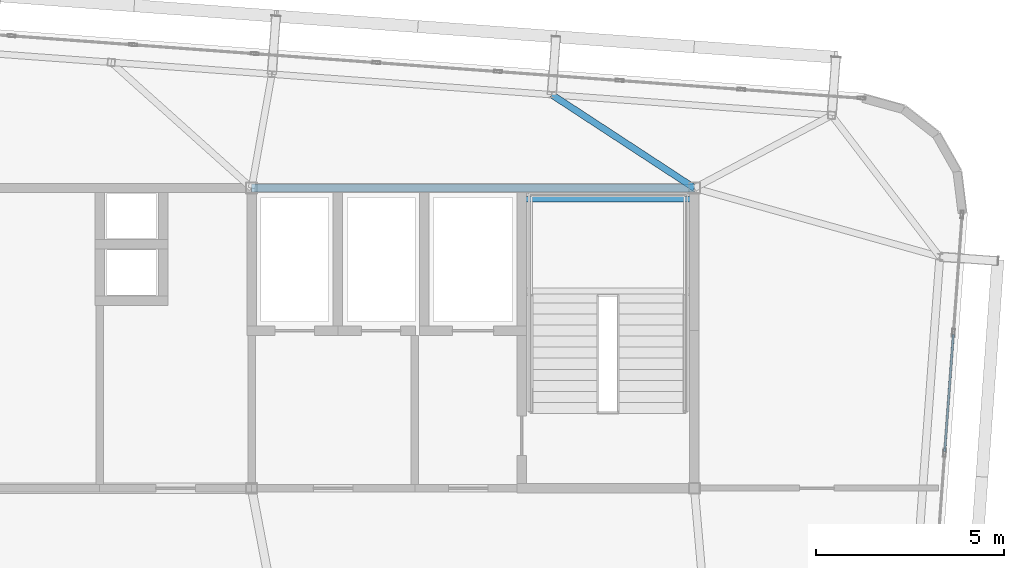
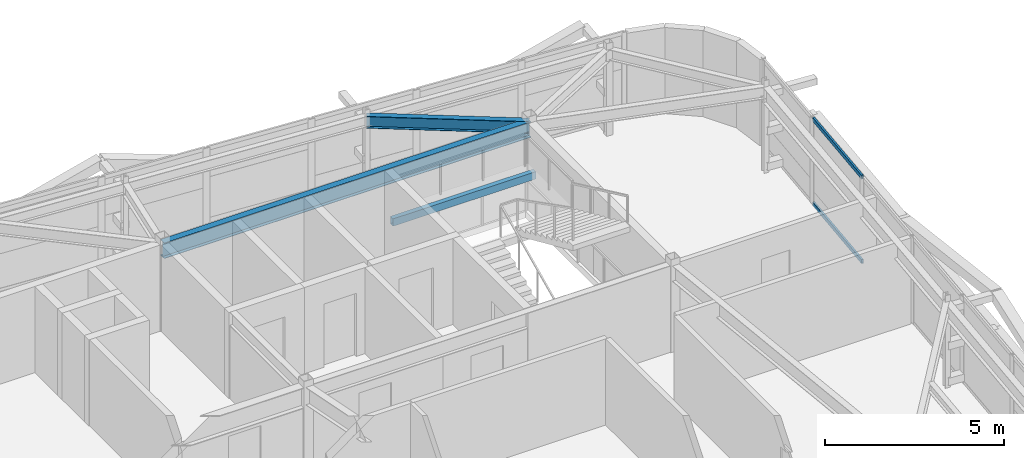
# One storey, part 24 of 42: 3 beams, 2 members, 1 element without a shape of its own.
"""IFC4 building model written with IfcOpenShell, lengths in metres."""

from ifc_helpers import new_model, si_unit, direction, frame, origin, origin_2d, place, context, subcontext, project, spatial, hollow_rectangle, i_section, extrude, source, transform, mapped, material, layer, layer_set, material_profile, profile_set, type_object, element, aggregate, save


model = new_model("IFC4")

# Units and contexts
model_context = context("Model", 3, precision=1e-05, world=origin(), true_north=direction((0.0, 1.0)))
body_context = subcontext(model_context, "Body", "Model", "MODEL_VIEW")
ifc_project = project(units=[si_unit("LENGTHUNIT", "METRE"), si_unit("AREAUNIT", "SQUARE_METRE"), si_unit("VOLUMEUNIT", "CUBIC_METRE"), si_unit("PLANEANGLEUNIT", "RADIAN"), si_unit("MASSUNIT", "GRAM", prefix="KILO")], contexts=[model_context])

# Site, building, storey
site_placement = place(None, origin())
site = spatial("IfcSite", under=ifc_project, at=site_placement, CompositionType="ELEMENT")
building_placement = place(site_placement, origin())
building = spatial("IfcBuilding", under=site, at=building_placement, Name="Taldren Reach Tower", CompositionType="ELEMENT")
storey_placement = place(building_placement, frame((0.0, 0.0, 224.0)))
storey = spatial("IfcBuildingStorey", under=building, at=storey_placement, Name="L68", CompositionType="ELEMENT", Elevation=224.0)

# Beams
ifc_material_1 = material(Name="Steel Gr 350 (350PLUS)", Category="steel")
ifc_material_profile_1 = material_profile(ifc_material_1, i_section(OverallWidth=0.208984375, OverallDepth=0.532958984375, WebThickness=0.01025390625, FlangeThickness=0.015625, at=origin_2d()), Name="530UB92.4")
ifc_profile_set_1 = profile_set([ifc_material_profile_1], Name="Steel Gr 350 (350PLUS)")
beam_type_1 = type_object("IfcBeamType", Name="BM-UB530A", PredefinedType="BEAM", material=ifc_profile_set_1)
shared_shape_1 = source(origin(), body_context, "Body", "SweptSolid", [
    extrude(i_section(OverallWidth=0.208984375, OverallDepth=0.532958984375, WebThickness=0.01025390625, FlangeThickness=0.015625, at=origin_2d()), origin(), (0.0, 0.0, 1.0), 11.800048828125),
])
beam_1_placement = place(storey_placement, frame((39.199951171875, 32.0, 2.66357421875), z_axis=(1.0, 0.0, 0.0), x_axis=(0.0, 1.0, 0.0)))
element("IfcBeam", 1, at=beam_1_placement, inside=storey, type_object=beam_type_1, Name="Core-spine girder L68-SP06", PredefinedType="BEAM", context=body_context, shape_type="MappedRepresentation", body=[
    mapped(shared_shape_1, transform((0.0, 0.0, 0.0), scale=1.0)),
])
ifc_material_profile_2 = material_profile(ifc_material_1, i_section(OverallWidth=0.177978515625, OverallDepth=0.406005859375, WebThickness=0.0078125, FlangeThickness=0.0126953125, at=origin_2d()), Name="410UB59.7")
ifc_profile_set_2 = profile_set([ifc_material_profile_2], Name="Steel Gr 350 (350PLUS)")
beam_type_2 = type_object("IfcBeamType", Name="BM-UB410", PredefinedType="BEAM", material=ifc_profile_set_2)
shared_shape_2 = source(origin(), body_context, "Body", "SweptSolid", [
    extrude(i_section(OverallWidth=0.177978515625, OverallDepth=0.406005859375, WebThickness=0.0078125, FlangeThickness=0.0126953125, at=origin_2d()), origin(), (0.0, 0.0, 1.0), 4.542236328125),
])
beam_2_placement = place(storey_placement, frame((51.0, 32.0, 2.72705078125), z_axis=(-0.836709129479, 0.547647544181, 0.0), x_axis=(-0.547647544181, -0.836709129479, 0.0)))
element("IfcBeam", 2, at=beam_2_placement, inside=storey, type_object=beam_type_2, Name="Primary floor girder B5-N5 L68", PredefinedType="BEAM", context=body_context, shape_type="MappedRepresentation", body=[
    mapped(shared_shape_2, transform((0.0, 0.0, 0.0), scale=1.0)),
])

# Curtain wall, members
ifc_material_2 = material(Name="Aluminium and Low-E Glass Unitised System", Category="aluminium")
ifc_layer = layer(ifc_material_2, 0.159912109375)
ifc_layer_set = layer_set([ifc_layer], Name="Aluminium and Low-E Glass Unitised System")
curtain_wall_type = type_object("IfcCurtainWallType", Name="CW-SYS-6", PredefinedType="NOTDEFINED", material=ifc_layer_set)
curtain_wall_placement = place(storey_placement, origin())
curtain_wall = element("IfcCurtainWall", 3, at=curtain_wall_placement, inside=storey, type_object=curtain_wall_type, Name="Unitised curtain wall CW-L68-E", PredefinedType="NOTDEFINED")
ifc_material_3 = material(Name="Anodised Aluminium 6063-T6", Category="aluminium")
ifc_material_profile_3 = material_profile(ifc_material_3, hollow_rectangle(XDim=0.06005859375, YDim=0.135009765625, WallThickness=0.00341796875, at=origin_2d()), Name="ALU-135x60x3.5RHS")
ifc_profile_set_3 = profile_set([ifc_material_profile_3], Name="Anodised Aluminium 6063-T6")
member_type = type_object("IfcMemberType", Name="CW-TRN-150", PredefinedType="USERDEFINED", material=ifc_profile_set_3)
shared_shape_3 = source(origin(), body_context, "Body", "SweptSolid", [
    extrude(hollow_rectangle(XDim=0.06005859375, YDim=0.135009765625, WallThickness=0.00341796875, at=origin_2d()), origin(), (0.0, 0.0, 1.0), 3.124755859375),
])
member_1_placement = place(storey_placement, frame((57.67138671875, 24.982666015625, 0.030029296875), z_axis=(0.073284589347, 0.997311069308, 0.0), x_axis=(-0.997311069308, 0.073284589347, 0.0)))
member_1 = element("IfcMember", 4, at=member_1_placement, type_object=member_type, Name="CW-6 transom 7.1", ObjectType="TRANSOM", PredefinedType="USERDEFINED", context=body_context, shape_type="MappedRepresentation", body=[
    mapped(shared_shape_3, transform((0.0, 0.0, 0.0), scale=1.0)),
])
member_2_placement = place(storey_placement, frame((57.67138671875, 24.982666015625, 2.89990234375), z_axis=(0.073284589347, 0.997311069308, 0.0), x_axis=(-0.997311069308, 0.073284589347, 0.0)))
member_2 = element("IfcMember", 5, at=member_2_placement, type_object=member_type, Name="CW-6 transom 7.2", ObjectType="TRANSOM", PredefinedType="USERDEFINED", context=body_context, shape_type="MappedRepresentation", body=[
    mapped(shared_shape_3, transform((0.0, 0.0, 0.0), scale=1.0)),
])
aggregate(curtain_wall, [member_1, member_2])

# Beam
ifc_material_4 = material(Name="Steel Gr 350 (C350L0)", Category="steel")
ifc_material_profile_4 = material_profile(ifc_material_4, hollow_rectangle(XDim=0.14990234375, YDim=0.25, WallThickness=0.009033203125, at=origin_2d()), Name="250x150x9.0RHS")
ifc_profile_set_4 = profile_set([ifc_material_profile_4], Name="Steel Gr 350 (C350L0)")
beam_type_3 = type_object("IfcBeamType", Name="LN-RHS250", PredefinedType="LINTEL", material=ifc_profile_set_4)
shared_shape_4 = source(origin(), body_context, "Body", "SweptSolid", [
    extrude(hollow_rectangle(XDim=0.14990234375, YDim=0.25, WallThickness=0.009033203125, at=origin_2d()), origin(), (0.0, 0.0, 1.0), 4.60009765625),
])
beam_3_placement = place(storey_placement, frame((46.39990234375, 31.699951171875, 1.27001953125), z_axis=(1.0, 0.0, 0.0), x_axis=(0.0, 1.0, 0.0)))
element("IfcBeam", 6, at=beam_3_placement, inside=storey, type_object=beam_type_3, Name="Stair half-landing support beam ST2-L68-2", PredefinedType="LINTEL", context=body_context, shape_type="MappedRepresentation", body=[
    mapped(shared_shape_4, transform((0.0, 0.0, 0.0), scale=1.0)),
])

save(model, "model.ifc")
